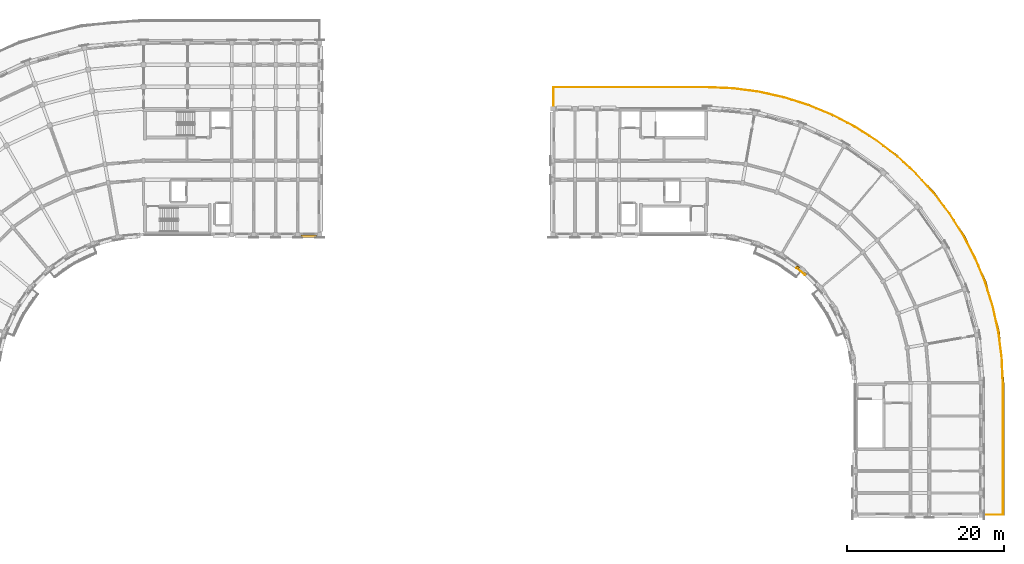
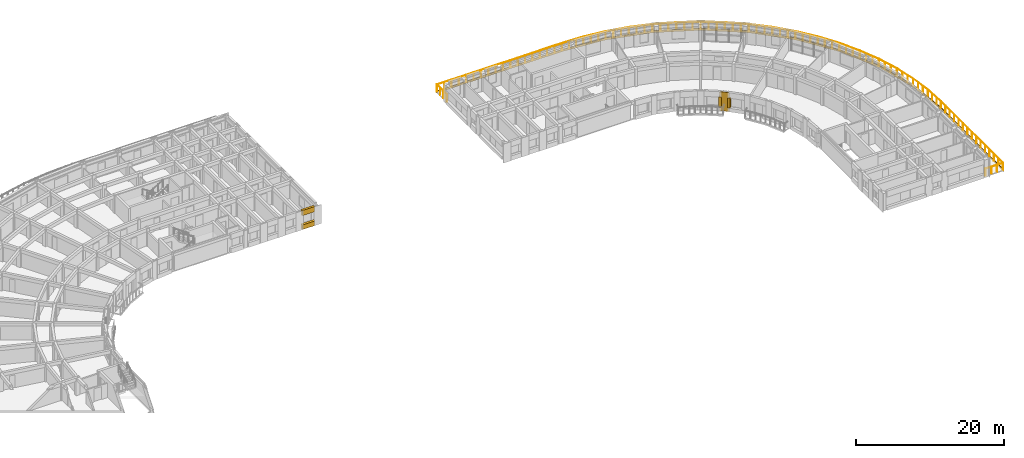
# One storey, part 28 of 32: 6 coverings, 1 railing.
"""IFC4 building model written with IfcOpenShell, lengths in metres."""

from ifc_helpers import new_model, si_unit, direction, frame, origin, origin_2d, place, context, subcontext, project, spatial, polyline, circle, outline, extrude, material, layer, layer_set, type_object, element, save


model = new_model("IFC4")

# Units and contexts
model_context = context("Model", 3, precision=1e-05, world=origin(), true_north=direction((0.0, 1.0)))
body_context = subcontext(model_context, "Body", "Model", "MODEL_VIEW")
ifc_project = project(units=[si_unit("LENGTHUNIT", "METRE"), si_unit("AREAUNIT", "SQUARE_METRE"), si_unit("VOLUMEUNIT", "CUBIC_METRE"), si_unit("PLANEANGLEUNIT", "RADIAN"), si_unit("MASSUNIT", "GRAM", prefix="KILO")], contexts=[model_context])

# Site, building, storey
site_placement = place(None, origin())
site = spatial("IfcSite", under=ifc_project, at=site_placement, CompositionType="ELEMENT")
building_placement = place(site_placement, origin())
building = spatial("IfcBuilding", under=site, at=building_placement, Name="Kiranvali Square Residences", CompositionType="ELEMENT")
storey_placement = place(building_placement, frame((0.0, 0.0, 40.199951171875)))
storey = spatial("IfcBuildingStorey", under=building, at=storey_placement, Name="L12", CompositionType="ELEMENT", Elevation=40.199951171875)

# Coverings
ifc_material_1 = material(Name="Carved Porbandar limestone classical entablature and cornice", Category="masonry")
ifc_layer_1 = layer(ifc_material_1, 0.449951171875)
ifc_layer_set_1 = layer_set([ifc_layer_1], Name="Carved Porbandar limestone classical entablature and cornice")
covering_type_1 = type_object("IfcCoveringType", Name="COV-CLAD-CORN", PredefinedType="CLADDING", material=ifc_layer_set_1)
covering_1_placement = place(storey_placement, frame((0.0, 0.0, -0.280029296875)))
element("IfcCovering", 1, at=covering_1_placement, inside=storey, type_object=covering_type_1, Name="Block B L12 stepped curved terrace stone cornice band", PredefinedType="CLADDING", context=body_context, shape_type="SweptSolid", body=[
    extrude(outline(polyline([(100.199951171875, 125.402099609375), (119.800048828125, 125.402099609375), (126.32958984375, 124.830810546875), (132.66064453125, 123.13427734375), (138.60107421875, 120.3642578125), (143.97021484375, 116.604736328125), (148.604736328125, 111.97021484375), (152.3642578125, 106.60107421875), (155.13427734375, 100.66064453125), (156.830810546875, 94.32958984375), (157.402099609375, 87.800048828125), (157.402099609375, 71.0), (157.485107421875, 71.0), (157.485107421875, 87.800048828125), (156.91259765625, 94.343994140625), (155.21240234375, 100.68896484375), (152.436279296875, 106.642578125), (148.66845703125, 112.0234375), (144.0234375, 116.66845703125), (138.642578125, 120.436279296875), (132.68896484375, 123.21240234375), (126.343994140625, 124.91259765625), (119.800048828125, 125.485107421875), (100.199951171875, 125.485107421875), (100.199951171875, 125.402099609375)])), origin(), (0.0, 0.0, 1.0), 0.360107421875),
])
ifc_material_2 = material(Name="Honed Porbandar limestone ashlar facade cladding", Category="masonry")
ifc_layer_2 = layer(ifc_material_2, 0.3798828125)
ifc_layer_set_2 = layer_set([ifc_layer_2], Name="Honed Porbandar limestone ashlar facade cladding")
covering_type_2 = type_object("IfcCoveringType", Name="COV-CLAD-JAMB", PredefinedType="CLADDING", material=ifc_layer_set_2)
covering_2_placement = place(storey_placement, frame((0.0, 0.0, 0.652099609375)))
element("IfcCovering", 2, at=covering_2_placement, inside=storey, type_object=covering_type_2, Name="L12 deep limestone window jamb reveal B-L12-GDN-03.R", PredefinedType="CLADDING", context=body_context, shape_type="SweptSolid", body=[
    extrude(outline(polyline([(131.02294921875, 102.3896484375), (131.328857421875, 102.175537109375), (131.523681640625, 102.45361328125), (131.2177734375, 102.66796875), (131.02294921875, 102.3896484375)])), origin(), (0.0, 0.0, 1.0), 1.599853515625),
])
covering_3_placement = place(storey_placement, frame((0.0, 0.0, 0.60205078125)))
element("IfcCovering", 3, at=covering_3_placement, inside=storey, type_object=covering_type_2, Name="L12 deep limestone window jamb reveal B-L12-GDN-04.L", PredefinedType="CLADDING", context=body_context, shape_type="SweptSolid", body=[
    extrude(outline(polyline([(131.955078125, 101.650146484375), (132.23681640625, 101.368408203125), (132.47705078125, 101.6083984375), (132.195068359375, 101.89013671875), (131.955078125, 101.650146484375)])), origin(), (0.0, 0.0, 1.0), 1.64990234375),
])
ifc_layer_3 = layer(ifc_material_2, 0.050048828125)
ifc_layer_set_3 = layer_set([ifc_layer_3], Name="Honed Porbandar limestone ashlar facade cladding")
covering_type_3 = type_object("IfcCoveringType", Name="COV-CLAD-PIER-IN", PredefinedType="CLADDING", material=ifc_layer_set_3)
covering_4_placement = place(storey_placement, frame((0.0, 0.0, 0.005126953125)))
element("IfcCovering", 4, at=covering_4_placement, inside=storey, type_object=covering_type_3, Name="L12 Classical garden courtyard pilaster CLAD-PRIN-B-L12-A04", PredefinedType="CLADDING", context=body_context, shape_type="SweptSolid", body=[
    extrude(outline(polyline([(131.111572265625, 102.36962890625), (132.18408203125, 101.4697265625), (132.2275390625, 101.521484375), (131.155029296875, 102.42138671875), (131.111572265625, 102.36962890625)])), origin(), (0.0, 0.0, 1.0), 3.139892578125),
])
ifc_layer_4 = layer(ifc_material_2, 0.360107421875)
ifc_layer_set_4 = layer_set([ifc_layer_4], Name="Honed Porbandar limestone ashlar facade cladding")
covering_type_4 = type_object("IfcCoveringType", Name="COV-CLAD-WALL", PredefinedType="CLADDING", material=ifc_layer_set_4)
covering_5_placement = place(storey_placement, frame((0.0, 0.0, 2.27197265625)))
element("IfcCovering", 5, at=covering_5_placement, inside=storey, type_object=covering_type_4, Name="L12 light limestone spandrel lintel A-L12-A1I-3", PredefinedType="CLADDING", context=body_context, shape_type="SweptSolid", body=[
    extrude(outline(polyline([(68.219970703125, 106.280029296875), (70.179931640625, 106.280029296875), (70.179931640625, 106.599609375), (68.219970703125, 106.599609375), (68.219970703125, 106.280029296875)])), origin(), (0.0, 0.0, 1.0), 0.873046875),
])
ifc_layer_5 = layer(ifc_material_2, 0.320068359375)
ifc_layer_set_5 = layer_set([ifc_layer_5], Name="Honed Porbandar limestone ashlar facade cladding")
covering_type_5 = type_object("IfcCoveringType", Name="COV-CLAD-WALL-UP", PredefinedType="CLADDING", material=ifc_layer_set_5)
covering_6_placement = place(storey_placement, frame((0.0, 0.0, 0.005126953125)))
element("IfcCovering", 6, at=covering_6_placement, inside=storey, type_object=covering_type_5, Name="L12 limestone window sill apron A-L12-A1I-3", PredefinedType="CLADDING", context=body_context, shape_type="SweptSolid", body=[
    extrude(outline(polyline([(68.219970703125, 106.25), (70.179931640625, 106.25), (70.179931640625, 106.599609375), (68.219970703125, 106.599609375), (68.219970703125, 106.25)])), origin(), (0.0, 0.0, 1.0), 0.766845703125),
])

# Railing
ifc_material_3 = material(Name="Powder-coated architectural bronze balustrade", Category="steel")
railing_type = type_object("IfcRailingType", Name="RL-TER-GOLD-1200", PredefinedType="BALUSTRADE", material=ifc_material_3)
railing_placement = place(storey_placement, frame((100.25, 122.639892578125, 0.0)))
element("IfcRailing", 7, at=railing_placement, inside=storey, type_object=railing_type, Name="Block B L12 stepped curved corner terrace gold balustrade", PredefinedType="BALUSTRADE", context=body_context, shape_type="SweptSolid", body=[
    extrude(circle(Radius=0.02392578125, at=origin_2d()), frame((0.0, 0.0, 1.17578125), z_axis=(0.0, 1.0, 0.0), x_axis=(-1.0, 0.0, 0.0)), (0.0, 0.0, 1.0), 2.7001953125),
    extrude(circle(Radius=0.02392578125, at=origin_2d()), frame((0.0, 2.7001953125, 1.17578125), z_axis=(1.0, 0.0, 0.0), x_axis=(0.0, 1.0, 0.0)), (0.0, 0.0, 1.0), 19.550048828125),
    extrude(circle(Radius=0.02392578125, at=origin_2d()), frame((19.550048828125, 2.7001953125, 1.17578125), z_axis=(0.99904854739, -0.0436119245, 0.0), x_axis=(0.0436119245, 0.99904854739, 0.0)), (0.0, 0.0, 1.0), 3.27490234375),
    extrude(circle(Radius=0.02392578125, at=origin_2d()), frame((22.82177734375, 2.557373046875, 1.17578125), z_axis=(0.991444651245, -0.130527788296, 0.0), x_axis=(0.130527788296, 0.991444651245, 0.0)), (0.0, 0.0, 1.0), 3.275146484375),
    extrude(circle(Radius=0.02392578125, at=origin_2d()), frame((26.06884765625, 2.1298828125, 1.17578125), z_axis=(0.97628518852, -0.216488407717, 0.0), x_axis=(0.216488407717, 0.97628518852, 0.0)), (0.0, 0.0, 1.0), 3.27490234375),
    extrude(circle(Radius=0.02392578125, at=origin_2d()), frame((29.26611328125, 1.4208984375, 1.17578125), z_axis=(0.953730150177, -0.300663933062, 0.0), x_axis=(0.300663933062, 0.953730150177, 0.0)), (0.0, 0.0, 1.0), 3.27490234375),
    extrude(circle(Radius=0.02392578125, at=origin_2d()), frame((32.389404296875, 0.436279296875, 1.17578125), z_axis=(0.923862365102, -0.382724875529, 0.0), x_axis=(0.382724875529, 0.923862365102, 0.0)), (0.0, 0.0, 1.0), 3.27490234375),
    extrude(circle(Radius=0.02392578125, at=origin_2d()), frame((35.4150390625, -0.817138671875, 1.17578125), z_axis=(0.887017774073, -0.461735279655, 0.0), x_axis=(0.461735279655, 0.887017774073, 0.0)), (0.0, 0.0, 1.0), 3.275146484375),
    extrude(circle(Radius=0.02392578125, at=origin_2d()), frame((38.320068359375, -2.329345703125, 1.17578125), z_axis=(0.843397386884, -0.537290282619, 0.0), x_axis=(0.537290282619, 0.843397386884, 0.0)), (0.0, 0.0, 1.0), 3.27490234375),
    extrude(circle(Radius=0.02392578125, at=origin_2d()), frame((41.08203125, -4.0888671875, 1.17578125), z_axis=(0.793349516831, -0.608766411806, 0.0), x_axis=(0.608766411806, 0.793349516831, 0.0)), (0.0, 0.0, 1.0), 3.27490234375),
    extrude(circle(Radius=0.02392578125, at=origin_2d()), frame((43.68017578125, -6.08251953125, 1.17578125), z_axis=(0.737259339497, -0.675609847711, 0.0), x_axis=(0.675609847711, 0.737259339497, 0.0)), (0.0, 0.0, 1.0), 3.275146484375),
    extrude(circle(Radius=0.02392578125, at=origin_2d()), frame((46.0947265625, -8.295166015625, 1.17578125), z_axis=(0.675609847711, -0.737259339497, 0.0), x_axis=(0.737259339497, 0.675609847711, 0.0)), (0.0, 0.0, 1.0), 3.275146484375),
    extrude(circle(Radius=0.02392578125, at=origin_2d()), frame((48.307373046875, -10.709716796875, 1.17578125), z_axis=(0.608766411806, -0.793349516831, 0.0), x_axis=(0.793349516831, 0.608766411806, 0.0)), (0.0, 0.0, 1.0), 3.27490234375),
    extrude(circle(Radius=0.02392578125, at=origin_2d()), frame((50.301025390625, -13.307861328125, 1.17578125), z_axis=(0.537290282619, -0.843397386884, 0.0), x_axis=(0.843397386884, 0.537290282619, 0.0)), (0.0, 0.0, 1.0), 3.27490234375),
    extrude(circle(Radius=0.02392578125, at=origin_2d()), frame((52.060546875, -16.06982421875, 1.17578125), z_axis=(0.461735279655, -0.887017774073, 0.0), x_axis=(0.887017774073, 0.461735279655, 0.0)), (0.0, 0.0, 1.0), 3.275146484375),
    extrude(circle(Radius=0.02392578125, at=origin_2d()), frame((53.57275390625, -18.974853515625, 1.17578125), z_axis=(0.382724875529, -0.923862365102, 0.0), x_axis=(0.923862365102, 0.382724875529, 0.0)), (0.0, 0.0, 1.0), 3.27490234375),
    extrude(circle(Radius=0.02392578125, at=origin_2d()), frame((54.826171875, -22.00048828125, 1.17578125), z_axis=(0.300663933062, -0.953730150177, 0.0), x_axis=(0.953730150177, 0.300663933062, 0.0)), (0.0, 0.0, 1.0), 3.27490234375),
    extrude(circle(Radius=0.02392578125, at=origin_2d()), frame((55.810791015625, -25.123779296875, 1.17578125), z_axis=(0.216488407717, -0.97628518852, 0.0), x_axis=(0.97628518852, 0.216488407717, 0.0)), (0.0, 0.0, 1.0), 3.27490234375),
    extrude(circle(Radius=0.02392578125, at=origin_2d()), frame((56.519775390625, -28.321044921875, 1.17578125), z_axis=(0.130527788296, -0.991444651245, 0.0), x_axis=(0.991444651245, 0.130527788296, 0.0)), (0.0, 0.0, 1.0), 3.275146484375),
    extrude(circle(Radius=0.02392578125, at=origin_2d()), frame((56.947265625, -31.568115234375, 1.17578125), z_axis=(0.0436119245, -0.99904854739, 0.0), x_axis=(0.99904854739, 0.0436119245, 0.0)), (0.0, 0.0, 1.0), 3.27490234375),
    extrude(circle(Radius=0.02392578125, at=origin_2d()), frame((57.090087890625, -34.83984375, 1.17578125), z_axis=(0.0, -1.0, 0.0), x_axis=(1.0, 0.0, 0.0)), (0.0, 0.0, 1.0), 16.75),
    extrude(circle(Radius=0.02392578125, at=origin_2d()), frame((57.090087890625, -51.58984375, 1.17578125), z_axis=(-1.0, 0.0, 0.0), x_axis=(0.0, -1.0, 0.0)), (0.0, 0.0, 1.0), 2.7001953125),
    extrude(circle(Radius=0.02099609375, at=origin_2d()), origin(), (0.0, 0.0, 1.0), 1.15185546875),
    extrude(circle(Radius=0.02099609375, at=origin_2d()), frame((0.0, 0.900146484375, 0.0)), (0.0, 0.0, 1.0), 1.15185546875),
    extrude(circle(Radius=0.02099609375, at=origin_2d()), frame((0.0, 1.800048828125, 0.0)), (0.0, 0.0, 1.0), 1.15185546875),
    extrude(circle(Radius=0.02099609375, at=origin_2d()), frame((0.0, 2.7001953125, 0.0)), (0.0, 0.0, 1.0), 1.15185546875),
    extrude(circle(Radius=0.02099609375, at=origin_2d()), frame((1.14990234375, 2.7001953125, 0.0)), (0.0, 0.0, 1.0), 1.15185546875),
    extrude(circle(Radius=0.02099609375, at=origin_2d()), frame((2.300048828125, 2.7001953125, 0.0)), (0.0, 0.0, 1.0), 1.15185546875),
    extrude(circle(Radius=0.02099609375, at=origin_2d()), frame((3.449951171875, 2.7001953125, 0.0)), (0.0, 0.0, 1.0), 1.15185546875),
    extrude(circle(Radius=0.02099609375, at=origin_2d()), frame((4.60009765625, 2.7001953125, 0.0)), (0.0, 0.0, 1.0), 1.15185546875),
    extrude(circle(Radius=0.02099609375, at=origin_2d()), frame((5.75, 2.7001953125, 0.0)), (0.0, 0.0, 1.0), 1.15185546875),
    extrude(circle(Radius=0.02099609375, at=origin_2d()), frame((6.89990234375, 2.7001953125, 0.0)), (0.0, 0.0, 1.0), 1.15185546875),
    extrude(circle(Radius=0.02099609375, at=origin_2d()), frame((8.050048828125, 2.7001953125, 0.0)), (0.0, 0.0, 1.0), 1.15185546875),
    extrude(circle(Radius=0.02099609375, at=origin_2d()), frame((9.199951171875, 2.7001953125, 0.0)), (0.0, 0.0, 1.0), 1.15185546875),
    extrude(circle(Radius=0.02099609375, at=origin_2d()), frame((10.35009765625, 2.7001953125, 0.0)), (0.0, 0.0, 1.0), 1.15185546875),
    extrude(circle(Radius=0.02099609375, at=origin_2d()), frame((11.5, 2.7001953125, 0.0)), (0.0, 0.0, 1.0), 1.15185546875),
    extrude(circle(Radius=0.02099609375, at=origin_2d()), frame((12.650146484375, 2.7001953125, 0.0)), (0.0, 0.0, 1.0), 1.15185546875),
    extrude(circle(Radius=0.02099609375, at=origin_2d()), frame((13.800048828125, 2.7001953125, 0.0)), (0.0, 0.0, 1.0), 1.15185546875),
    extrude(circle(Radius=0.02099609375, at=origin_2d()), frame((14.949951171875, 2.7001953125, 0.0)), (0.0, 0.0, 1.0), 1.15185546875),
    extrude(circle(Radius=0.02099609375, at=origin_2d()), frame((16.10009765625, 2.7001953125, 0.0)), (0.0, 0.0, 1.0), 1.15185546875),
    extrude(circle(Radius=0.02099609375, at=origin_2d()), frame((17.25, 2.7001953125, 0.0)), (0.0, 0.0, 1.0), 1.15185546875),
    extrude(circle(Radius=0.02099609375, at=origin_2d()), frame((18.400146484375, 2.7001953125, 0.0)), (0.0, 0.0, 1.0), 1.15185546875),
    extrude(circle(Radius=0.02099609375, at=origin_2d()), frame((19.550048828125, 2.7001953125, 0.0)), (0.0, 0.0, 1.0), 1.15185546875),
    extrude(circle(Radius=0.02099609375, at=origin_2d()), frame((20.640625, 2.652587890625, 0.0)), (0.0, 0.0, 1.0), 1.15185546875),
    extrude(circle(Radius=0.02099609375, at=origin_2d()), frame((21.731201171875, 2.60498046875, 0.0)), (0.0, 0.0, 1.0), 1.15185546875),
    extrude(circle(Radius=0.02099609375, at=origin_2d()), frame((22.82177734375, 2.557373046875, 0.0)), (0.0, 0.0, 1.0), 1.15185546875),
    extrude(circle(Radius=0.02099609375, at=origin_2d()), frame((23.904052734375, 2.414794921875, 0.0)), (0.0, 0.0, 1.0), 1.15185546875),
    extrude(circle(Radius=0.02099609375, at=origin_2d()), frame((24.986572265625, 2.2724609375, 0.0)), (0.0, 0.0, 1.0), 1.15185546875),
    extrude(circle(Radius=0.02099609375, at=origin_2d()), frame((26.06884765625, 2.1298828125, 0.0)), (0.0, 0.0, 1.0), 1.15185546875),
    extrude(circle(Radius=0.02099609375, at=origin_2d()), frame((27.134521484375, 1.8935546875, 0.0)), (0.0, 0.0, 1.0), 1.15185546875),
    extrude(circle(Radius=0.02099609375, at=origin_2d()), frame((28.200439453125, 1.6572265625, 0.0)), (0.0, 0.0, 1.0), 1.15185546875),
    extrude(circle(Radius=0.02099609375, at=origin_2d()), frame((29.26611328125, 1.4208984375, 0.0)), (0.0, 0.0, 1.0), 1.15185546875),
    extrude(circle(Radius=0.02099609375, at=origin_2d()), frame((30.30712890625, 1.0927734375, 0.0)), (0.0, 0.0, 1.0), 1.15185546875),
    extrude(circle(Radius=0.02099609375, at=origin_2d()), frame((31.348388671875, 0.764404296875, 0.0)), (0.0, 0.0, 1.0), 1.15185546875),
    extrude(circle(Radius=0.02099609375, at=origin_2d()), frame((32.389404296875, 0.436279296875, 0.0)), (0.0, 0.0, 1.0), 1.15185546875),
    extrude(circle(Radius=0.02099609375, at=origin_2d()), frame((33.39794921875, 0.0185546875, 0.0)), (0.0, 0.0, 1.0), 1.15185546875),
    extrude(circle(Radius=0.02099609375, at=origin_2d()), frame((34.406494140625, -0.3994140625, 0.0)), (0.0, 0.0, 1.0), 1.15185546875),
    extrude(circle(Radius=0.02099609375, at=origin_2d()), frame((35.4150390625, -0.817138671875, 0.0)), (0.0, 0.0, 1.0), 1.15185546875),
    extrude(circle(Radius=0.02099609375, at=origin_2d()), frame((36.38330078125, -1.3212890625, 0.0)), (0.0, 0.0, 1.0), 1.15185546875),
    extrude(circle(Radius=0.02099609375, at=origin_2d()), frame((37.351806640625, -1.8251953125, 0.0)), (0.0, 0.0, 1.0), 1.15185546875),
    extrude(circle(Radius=0.02099609375, at=origin_2d()), frame((38.320068359375, -2.329345703125, 0.0)), (0.0, 0.0, 1.0), 1.15185546875),
    extrude(circle(Radius=0.02099609375, at=origin_2d()), frame((39.24072265625, -2.915771484375, 0.0)), (0.0, 0.0, 1.0), 1.15185546875),
    extrude(circle(Radius=0.02099609375, at=origin_2d()), frame((40.161376953125, -3.50244140625, 0.0)), (0.0, 0.0, 1.0), 1.15185546875),
    extrude(circle(Radius=0.02099609375, at=origin_2d()), frame((41.08203125, -4.0888671875, 0.0)), (0.0, 0.0, 1.0), 1.15185546875),
    extrude(circle(Radius=0.02099609375, at=origin_2d()), frame((41.947998046875, -4.75341796875, 0.0)), (0.0, 0.0, 1.0), 1.15185546875),
    extrude(circle(Radius=0.02099609375, at=origin_2d()), frame((42.814208984375, -5.41796875, 0.0)), (0.0, 0.0, 1.0), 1.15185546875),
    extrude(circle(Radius=0.02099609375, at=origin_2d()), frame((43.68017578125, -6.08251953125, 0.0)), (0.0, 0.0, 1.0), 1.15185546875),
    extrude(circle(Radius=0.02099609375, at=origin_2d()), frame((44.485107421875, -6.820068359375, 0.0)), (0.0, 0.0, 1.0), 1.15185546875),
    extrude(circle(Radius=0.02099609375, at=origin_2d()), frame((45.289794921875, -7.5576171875, 0.0)), (0.0, 0.0, 1.0), 1.15185546875),
    extrude(circle(Radius=0.02099609375, at=origin_2d()), frame((46.0947265625, -8.295166015625, 0.0)), (0.0, 0.0, 1.0), 1.15185546875),
    extrude(circle(Radius=0.02099609375, at=origin_2d()), frame((46.832275390625, -9.10009765625, 0.0)), (0.0, 0.0, 1.0), 1.15185546875),
    extrude(circle(Radius=0.02099609375, at=origin_2d()), frame((47.56982421875, -9.90478515625, 0.0)), (0.0, 0.0, 1.0), 1.15185546875),
    extrude(circle(Radius=0.02099609375, at=origin_2d()), frame((48.307373046875, -10.709716796875, 0.0)), (0.0, 0.0, 1.0), 1.15185546875),
    extrude(circle(Radius=0.02099609375, at=origin_2d()), frame((48.971923828125, -11.57568359375, 0.0)), (0.0, 0.0, 1.0), 1.15185546875),
    extrude(circle(Radius=0.02099609375, at=origin_2d()), frame((49.636474609375, -12.44189453125, 0.0)), (0.0, 0.0, 1.0), 1.15185546875),
    extrude(circle(Radius=0.02099609375, at=origin_2d()), frame((50.301025390625, -13.307861328125, 0.0)), (0.0, 0.0, 1.0), 1.15185546875),
    extrude(circle(Radius=0.02099609375, at=origin_2d()), frame((50.887451171875, -14.228515625, 0.0)), (0.0, 0.0, 1.0), 1.15185546875),
    extrude(circle(Radius=0.02099609375, at=origin_2d()), frame((51.47412109375, -15.149169921875, 0.0)), (0.0, 0.0, 1.0), 1.15185546875),
    extrude(circle(Radius=0.02099609375, at=origin_2d()), frame((52.060546875, -16.06982421875, 0.0)), (0.0, 0.0, 1.0), 1.15185546875),
    extrude(circle(Radius=0.02099609375, at=origin_2d()), frame((52.564697265625, -17.0380859375, 0.0)), (0.0, 0.0, 1.0), 1.15185546875),
    extrude(circle(Radius=0.02099609375, at=origin_2d()), frame((53.068603515625, -18.006591796875, 0.0)), (0.0, 0.0, 1.0), 1.15185546875),
    extrude(circle(Radius=0.02099609375, at=origin_2d()), frame((53.57275390625, -18.974853515625, 0.0)), (0.0, 0.0, 1.0), 1.15185546875),
    extrude(circle(Radius=0.02099609375, at=origin_2d()), frame((53.990478515625, -19.9833984375, 0.0)), (0.0, 0.0, 1.0), 1.15185546875),
    extrude(circle(Radius=0.02099609375, at=origin_2d()), frame((54.408447265625, -20.991943359375, 0.0)), (0.0, 0.0, 1.0), 1.15185546875),
    extrude(circle(Radius=0.02099609375, at=origin_2d()), frame((54.826171875, -22.00048828125, 0.0)), (0.0, 0.0, 1.0), 1.15185546875),
    extrude(circle(Radius=0.02099609375, at=origin_2d()), frame((55.154296875, -23.04150390625, 0.0)), (0.0, 0.0, 1.0), 1.15185546875),
    extrude(circle(Radius=0.02099609375, at=origin_2d()), frame((55.482666015625, -24.082763671875, 0.0)), (0.0, 0.0, 1.0), 1.15185546875),
    extrude(circle(Radius=0.02099609375, at=origin_2d()), frame((55.810791015625, -25.123779296875, 0.0)), (0.0, 0.0, 1.0), 1.15185546875),
    extrude(circle(Radius=0.02099609375, at=origin_2d()), frame((56.047119140625, -26.189453125, 0.0)), (0.0, 0.0, 1.0), 1.15185546875),
    extrude(circle(Radius=0.02099609375, at=origin_2d()), frame((56.283447265625, -27.25537109375, 0.0)), (0.0, 0.0, 1.0), 1.15185546875),
    extrude(circle(Radius=0.02099609375, at=origin_2d()), frame((56.519775390625, -28.321044921875, 0.0)), (0.0, 0.0, 1.0), 1.15185546875),
    extrude(circle(Radius=0.02099609375, at=origin_2d()), frame((56.662353515625, -29.4033203125, 0.0)), (0.0, 0.0, 1.0), 1.15185546875),
    extrude(circle(Radius=0.02099609375, at=origin_2d()), frame((56.8046875, -30.48583984375, 0.0)), (0.0, 0.0, 1.0), 1.15185546875),
    extrude(circle(Radius=0.02099609375, at=origin_2d()), frame((56.947265625, -31.568115234375, 0.0)), (0.0, 0.0, 1.0), 1.15185546875),
    extrude(circle(Radius=0.02099609375, at=origin_2d()), frame((56.994873046875, -32.65869140625, 0.0)), (0.0, 0.0, 1.0), 1.15185546875),
    extrude(circle(Radius=0.02099609375, at=origin_2d()), frame((57.04248046875, -33.749267578125, 0.0)), (0.0, 0.0, 1.0), 1.15185546875),
    extrude(circle(Radius=0.02099609375, at=origin_2d()), frame((57.090087890625, -34.83984375, 0.0)), (0.0, 0.0, 1.0), 1.15185546875),
    extrude(circle(Radius=0.02099609375, at=origin_2d()), frame((57.090087890625, -36.036376953125, 0.0)), (0.0, 0.0, 1.0), 1.15185546875),
    extrude(circle(Radius=0.02099609375, at=origin_2d()), frame((57.090087890625, -37.232666015625, 0.0)), (0.0, 0.0, 1.0), 1.15185546875),
    extrude(circle(Radius=0.02099609375, at=origin_2d()), frame((57.090087890625, -38.42919921875, 0.0)), (0.0, 0.0, 1.0), 1.15185546875),
    extrude(circle(Radius=0.02099609375, at=origin_2d()), frame((57.090087890625, -39.62548828125, 0.0)), (0.0, 0.0, 1.0), 1.15185546875),
    extrude(circle(Radius=0.02099609375, at=origin_2d()), frame((57.090087890625, -40.822021484375, 0.0)), (0.0, 0.0, 1.0), 1.15185546875),
    extrude(circle(Radius=0.02099609375, at=origin_2d()), frame((57.090087890625, -42.018310546875, 0.0)), (0.0, 0.0, 1.0), 1.15185546875),
    extrude(circle(Radius=0.02099609375, at=origin_2d()), frame((57.090087890625, -43.21484375, 0.0)), (0.0, 0.0, 1.0), 1.15185546875),
    extrude(circle(Radius=0.02099609375, at=origin_2d()), frame((57.090087890625, -44.411376953125, 0.0)), (0.0, 0.0, 1.0), 1.15185546875),
    extrude(circle(Radius=0.02099609375, at=origin_2d()), frame((57.090087890625, -45.607666015625, 0.0)), (0.0, 0.0, 1.0), 1.15185546875),
    extrude(circle(Radius=0.02099609375, at=origin_2d()), frame((57.090087890625, -46.80419921875, 0.0)), (0.0, 0.0, 1.0), 1.15185546875),
    extrude(circle(Radius=0.02099609375, at=origin_2d()), frame((57.090087890625, -48.00048828125, 0.0)), (0.0, 0.0, 1.0), 1.15185546875),
    extrude(circle(Radius=0.02099609375, at=origin_2d()), frame((57.090087890625, -49.197021484375, 0.0)), (0.0, 0.0, 1.0), 1.15185546875),
    extrude(circle(Radius=0.02099609375, at=origin_2d()), frame((57.090087890625, -50.393310546875, 0.0)), (0.0, 0.0, 1.0), 1.15185546875),
    extrude(circle(Radius=0.02099609375, at=origin_2d()), frame((57.090087890625, -51.58984375, 0.0)), (0.0, 0.0, 1.0), 1.15185546875),
    extrude(circle(Radius=0.02099609375, at=origin_2d()), frame((56.18994140625, -51.58984375, 0.0)), (0.0, 0.0, 1.0), 1.15185546875),
    extrude(circle(Radius=0.02099609375, at=origin_2d()), frame((55.2900390625, -51.58984375, 0.0)), (0.0, 0.0, 1.0), 1.15185546875),
    extrude(circle(Radius=0.02099609375, at=origin_2d()), frame((54.389892578125, -51.58984375, 0.0)), (0.0, 0.0, 1.0), 1.15185546875),
])

save(model, "model.ifc")
